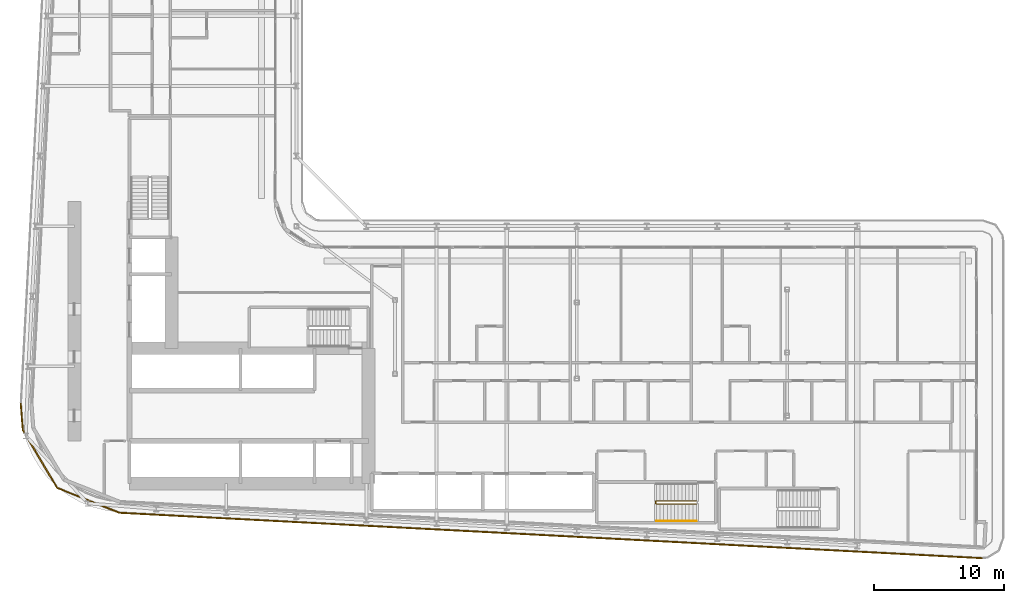
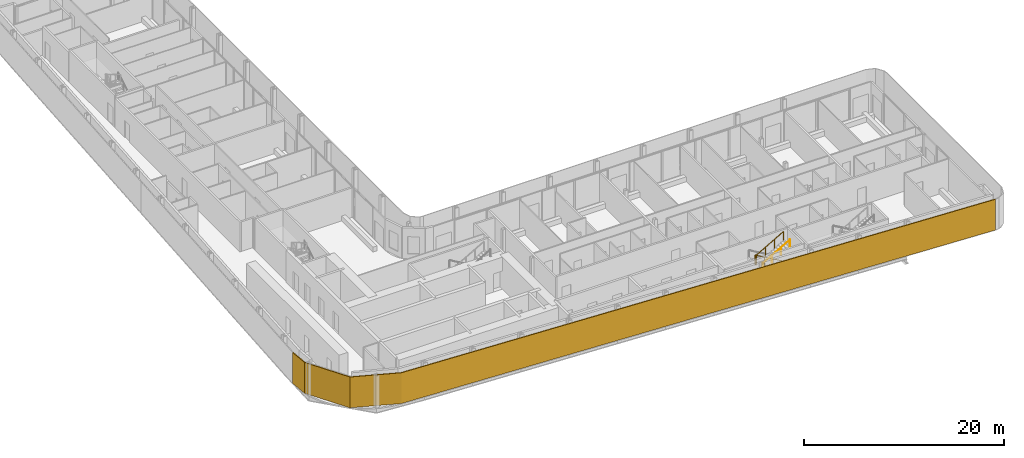
# One storey, part 23 of 27: 2 railings, 1 shading device.
"""IFC4 building model written with IfcOpenShell, lengths in metres."""

from ifc_helpers import new_model, si_unit, direction, frame, origin, origin_2d, place, context, subcontext, project, spatial, polyline, circle, outline, extrude, material, layer, layer_set, type_object, element, save


model = new_model("IFC4")

# Units and contexts
model_context = context("Model", 3, precision=1e-05, world=origin(), true_north=direction((0.0, 1.0)))
body_context = subcontext(model_context, "Body", "Model", "MODEL_VIEW")
ifc_project = project(units=[si_unit("LENGTHUNIT", "METRE"), si_unit("AREAUNIT", "SQUARE_METRE"), si_unit("VOLUMEUNIT", "CUBIC_METRE"), si_unit("PLANEANGLEUNIT", "RADIAN"), si_unit("MASSUNIT", "GRAM", prefix="KILO")], contexts=[model_context])

# Site, building, storey
site_placement = place(None, origin())
site = spatial("IfcSite", under=ifc_project, at=site_placement, CompositionType="ELEMENT")
building_placement = place(site_placement, origin())
building = spatial("IfcBuilding", under=site, at=building_placement, Name="Kheshtan School and Residences Tower", CompositionType="ELEMENT")
storey_placement = place(building_placement, frame((0.0, 0.0, 57.800048828125)))
storey = spatial("IfcBuildingStorey", under=building, at=storey_placement, Name="L13", CompositionType="ELEMENT", Elevation=57.800048828125)

# Shading device
ifc_material_1 = material(Name="Terracotta baguette, extruded ceramic", Category="masonry")
ifc_layer = layer(ifc_material_1, 0.10009765625)
ifc_layer_set = layer_set([ifc_layer], Name="Ledge screen, terracotta baguettes")
shading_device_type = type_object("IfcShadingDeviceType", Name="Ledge screen, terracotta baguettes", PredefinedType="USERDEFINED", material=ifc_layer_set)
shading_device_placement = place(storey_placement, origin())
element("IfcShadingDevice", 1, at=shading_device_placement, inside=storey, type_object=shading_device_type, Name="Screen L13 3", ObjectType="BAGUETTE", PredefinedType="USERDEFINED", context=body_context, shape_type="SweptSolid", body=[
    extrude(outline(polyline([(100.4208984375, 20.0830078125), (33.989013671875, 23.580078125), (29.2119140625, 25.486083984375), (26.583984375, 29.906982421875), (26.419921875, 31.989013671875), (26.320068359375, 31.98095703125), (26.486083984375, 29.8759765625), (29.14306640625, 25.406005859375), (33.967041015625, 23.48095703125), (100.416015625, 19.98291015625), (100.4208984375, 20.0830078125)])), origin(), (0.0, 0.0, 1.0), 3.75),
])

# Railings
ifc_material_2 = material(Name="Stainless steel balustrade", Category="steel")
railing_type_1 = type_object("IfcRailingType", Name="Stair guard 1100", PredefinedType="GUARDRAIL", material=ifc_material_2)
railing_1_placement = place(storey_placement, frame((78.409912109375, 24.449951171875, 0.162353515625)))
element("IfcRailing", 2, at=railing_1_placement, inside=storey, type_object=railing_type_1, Name="L13 ST5 stair guard 1", PredefinedType="GUARDRAIL", context=body_context, shape_type="SweptSolid", body=[
    extrude(circle(Radius=0.02392578125, at=origin_2d()), frame((0.0, 0.0, 1.076171875), z_axis=(-0.864873446163, 0.0, 0.501989962173), x_axis=(0.0, -1.0, 0.0)), (0.0, 0.0, 1.0), 3.56103515625),
    extrude(circle(Radius=0.02392578125, at=origin_2d()), frame((-3.079833984375, 0.0, 2.86376953125), z_axis=(-0.707106781187, -0.707106781187, 0.0), x_axis=(0.707106781187, -0.707106781187, 0.0)), (0.0, 0.0, 1.0), 0.07080078125),
    extrude(circle(Radius=0.02392578125, at=origin_2d()), frame((-3.1298828125, -0.050048828125, 2.86376953125), z_axis=(0.0, -1.0, 0.0), x_axis=(1.0, 0.0, 0.0)), (0.0, 0.0, 1.0), 0.14990234375),
    extrude(circle(Radius=0.02392578125, at=origin_2d()), frame((-3.1298828125, -0.199951171875, 2.86376953125), z_axis=(0.282227285176, -0.282227285176, 0.916894497205), x_axis=(0.707106781187, 0.707106781187, 0.0)), (0.0, 0.0, 1.0), 0.17724609375),
    extrude(circle(Radius=0.02392578125, at=origin_2d()), frame((-3.079833984375, -0.25, 3.0263671875), z_axis=(0.864903211148, 0.0, 0.501938676878), x_axis=(0.0, 1.0, 0.0)), (0.0, 0.0, 1.0), 3.560791015625),
    extrude(circle(Radius=0.02099609375, at=origin_2d()), origin(), (0.0, 0.0, 1.0), 1.052001953125),
    extrude(circle(Radius=0.02099609375, at=origin_2d()), frame((-1.026611328125, 0.0, 0.595947265625)), (0.0, 0.0, 1.0), 1.052001953125),
    extrude(circle(Radius=0.02099609375, at=origin_2d()), frame((-2.05322265625, 0.0, 1.191650390625)), (0.0, 0.0, 1.0), 1.052001953125),
    extrude(circle(Radius=0.02099609375, at=origin_2d()), frame((-3.079833984375, 0.0, 1.78759765625)), (0.0, 0.0, 1.0), 1.052001953125),
    extrude(circle(Radius=0.02099609375, at=origin_2d()), frame((-3.1298828125, -0.050048828125, 1.78759765625)), (0.0, 0.0, 1.0), 1.052001953125),
    extrude(circle(Radius=0.02099609375, at=origin_2d()), frame((-3.1298828125, -0.199951171875, 1.78759765625)), (0.0, 0.0, 1.0), 1.052001953125),
    extrude(circle(Radius=0.02099609375, at=origin_2d()), frame((-3.079833984375, -0.25, 1.9501953125)), (0.0, 0.0, 1.0), 1.052001953125),
    extrude(circle(Radius=0.02099609375, at=origin_2d()), frame((-2.05322265625, -0.25, 2.5458984375)), (0.0, 0.0, 1.0), 1.052001953125),
    extrude(circle(Radius=0.02099609375, at=origin_2d()), frame((-1.026611328125, -0.25, 3.141845703125)), (0.0, 0.0, 1.0), 1.052001953125),
    extrude(circle(Radius=0.02099609375, at=origin_2d()), frame((0.0, -0.25, 3.737548828125)), (0.0, 0.0, 1.0), 1.052001953125),
])
ifc_material_3 = material(Name="Stainless steel handrail", Category="steel")
railing_type_2 = type_object("IfcRailingType", Name="Stair handrail 900", PredefinedType="HANDRAIL", material=ifc_material_3)
railing_2_placement = place(storey_placement, frame((75.330078125, 22.89990234375, 2.112548828125)))
element("IfcRailing", 3, at=railing_2_placement, inside=storey, type_object=railing_type_2, Name="L13 ST5 stair handrail 2", PredefinedType="HANDRAIL", context=body_context, shape_type="SweptSolid", body=[
    extrude(circle(Radius=0.02392578125, at=origin_2d()), frame((0.0, 0.0, 0.8759765625), z_axis=(0.864903211148, 0.0, 0.501938676878), x_axis=(0.0, 1.0, 0.0)), (0.0, 0.0, 1.0), 3.560791015625),
    extrude(circle(Radius=0.02099609375, at=origin_2d()), origin(), (0.0, 0.0, 1.0), 0.851806640625),
    extrude(circle(Radius=0.02099609375, at=origin_2d()), frame((1.026611328125, 0.0, 0.595703125)), (0.0, 0.0, 1.0), 0.851806640625),
    extrude(circle(Radius=0.02099609375, at=origin_2d()), frame((2.05322265625, 0.0, 1.191650390625)), (0.0, 0.0, 1.0), 0.851806640625),
    extrude(circle(Radius=0.02099609375, at=origin_2d()), frame((3.079833984375, 0.0, 1.787353515625)), (0.0, 0.0, 1.0), 0.851806640625),
])

save(model, "model.ifc")
